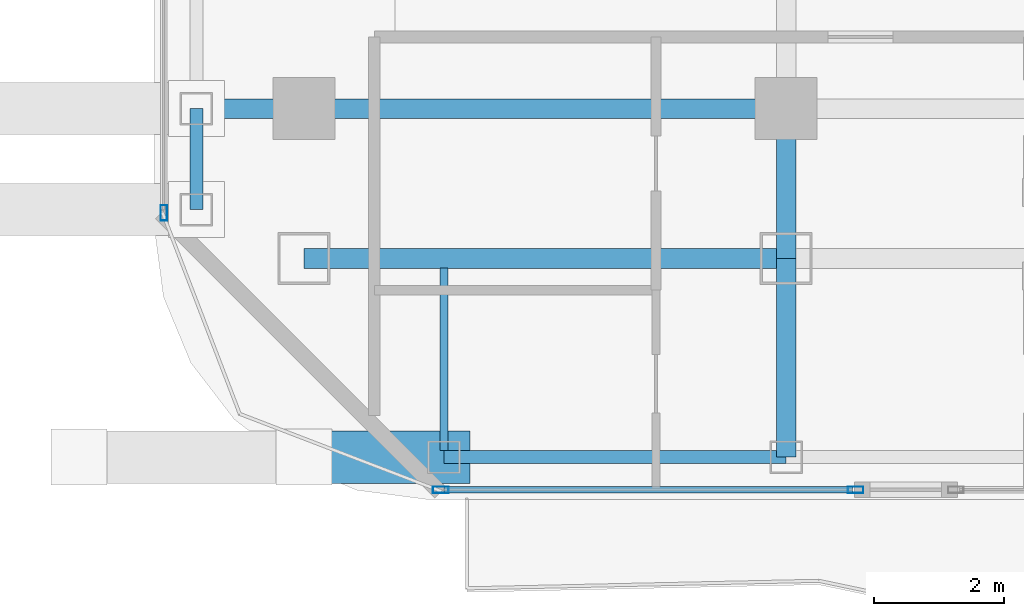
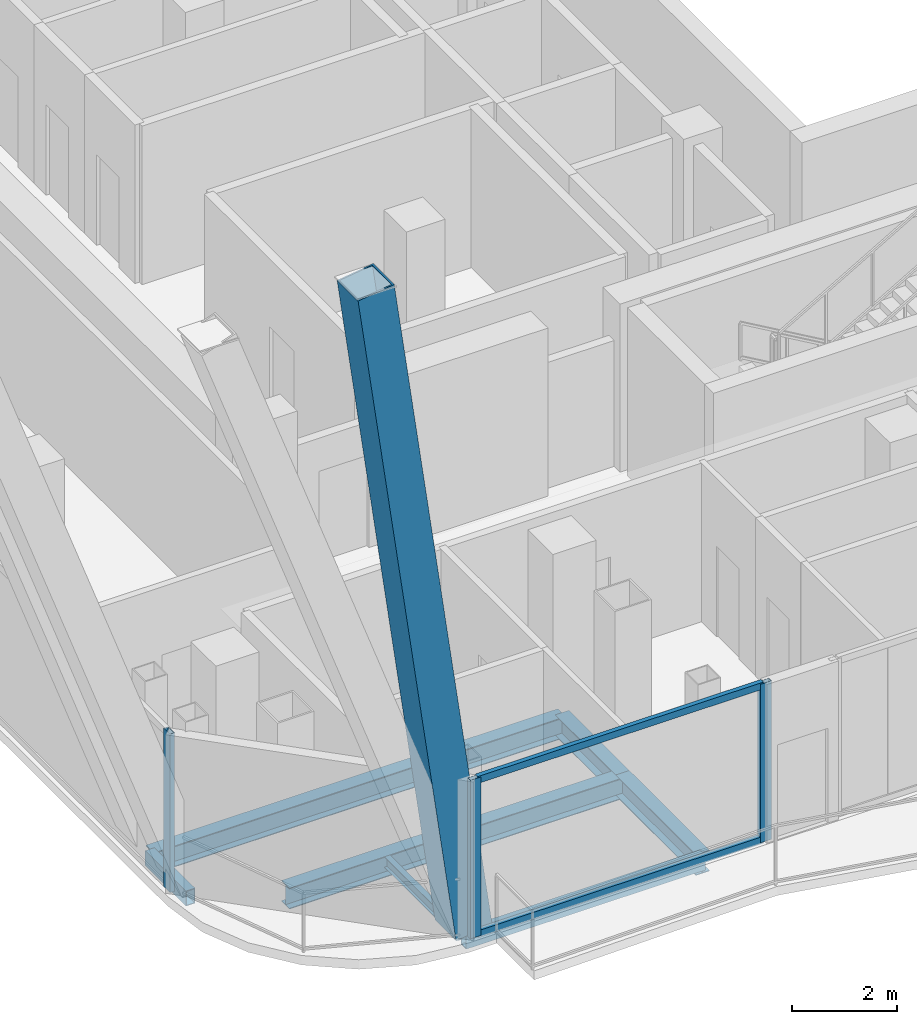
# One storey, part 2 of 27: 7 beams, 6 members, 2 elements without a shape of their own.
"""IFC4 building model written with IfcOpenShell, lengths in metres."""

from ifc_helpers import new_model, si_unit, direction, frame, origin, origin_2d, place, context, subcontext, project, spatial, hollow_rectangle, i_section, extrude, material, layer, layer_set, material_profile, profile_set, type_object, element, aggregate, save


model = new_model("IFC4")

# Units and contexts
model_context = context("Model", 3, precision=1e-05, world=origin(), true_north=direction((0.0, 1.0)))
body_context = subcontext(model_context, "Body", "Model", "MODEL_VIEW")
ifc_project = project(units=[si_unit("LENGTHUNIT", "METRE"), si_unit("AREAUNIT", "SQUARE_METRE"), si_unit("VOLUMEUNIT", "CUBIC_METRE"), si_unit("PLANEANGLEUNIT", "RADIAN"), si_unit("MASSUNIT", "GRAM", prefix="KILO")], contexts=[model_context])

# Site, building, storey
site_placement = place(None, origin())
site = spatial("IfcSite", under=ifc_project, at=site_placement, CompositionType="ELEMENT")
building_placement = place(site_placement, origin())
building = spatial("IfcBuilding", under=site, at=building_placement, Name="Khorvyn Point Tower", CompositionType="ELEMENT")
storey_placement = place(building_placement, frame((0.0, 0.0, 270.300048828125)))
storey = spatial("IfcBuildingStorey", under=building, at=storey_placement, Name="L66", CompositionType="ELEMENT", Elevation=270.300048828125)

# Curtain wall, members
ifc_material_1 = material(Name="Anodised aluminium 6063-T6 and laminated Low-E glass", Category="aluminium")
ifc_layer = layer(ifc_material_1, 0.18994140625)
ifc_layer_set = layer_set([ifc_layer], Name="Stick-Built High-Wind Curtain Wall CW-SYS-04")
curtain_wall_type = type_object("IfcCurtainWallType", Name="Stick-Built High-Wind Curtain Wall CW-SYS-04", PredefinedType="NOTDEFINED", material=ifc_layer_set)
curtain_wall_1_placement = place(storey_placement, origin())
curtain_wall_1 = element("IfcCurtainWall", 1, at=curtain_wall_1_placement, inside=storey, type_object=curtain_wall_type, Name="Curtain Wall", PredefinedType="NOTDEFINED")
ifc_material_2 = material(Name="Anodised aluminium 6063-T6", Category="aluminium")
ifc_material_profile_1 = material_profile(ifc_material_2, hollow_rectangle(XDim=0.10009765625, YDim=0.239990234375, WallThickness=0.0048828125, at=origin_2d()))
ifc_profile_set_1 = profile_set([ifc_material_profile_1], Name="Anodised aluminium 6063-T6 ALU-MUL-100x240")
member_type_1 = type_object("IfcMemberType", Name="Anodised Aluminium 6063-T6 Mullion ALU-MUL-100x240", PredefinedType="MULLION", material=ifc_profile_set_1)
member_1_placement = place(storey_placement, frame((-6.3330078125, -20.64990234375, 0.0), z_axis=(0.0, 0.0, 1.0), x_axis=(0.0, -1.0, 0.0)))
member_1 = element("IfcMember", 2, at=member_1_placement, type_object=member_type_1, Name="Transom", PredefinedType="MULLION", context=body_context, shape_type="SweptSolid", body=[
    extrude(hollow_rectangle(XDim=0.10009765625, YDim=0.239990234375, WallThickness=0.0048828125, at=origin_2d()), origin(), (0.0, 0.0, 1.0), 3.679931640625),
])
member_2_placement = place(storey_placement, frame((-12.699951171875, -20.64990234375, 0.0), z_axis=(0.0, 0.0, 1.0), x_axis=(0.0, -1.0, 0.0)))
member_2 = element("IfcMember", 3, at=member_2_placement, type_object=member_type_1, Name="Transom", PredefinedType="MULLION", context=body_context, shape_type="SweptSolid", body=[
    extrude(hollow_rectangle(XDim=0.10009765625, YDim=0.239990234375, WallThickness=0.0048828125, at=origin_2d()), origin(), (0.0, 0.0, 1.0), 3.679931640625),
])

# Curtain wall, member
curtain_wall_2_placement = place(storey_placement, origin())
curtain_wall_2 = element("IfcCurtainWall", 4, at=curtain_wall_2_placement, inside=storey, type_object=curtain_wall_type, Name="Curtain Wall", PredefinedType="NOTDEFINED")
member_3_placement = place(storey_placement, frame((-16.949951171875, -16.39990234375, 0.0), z_axis=(0.0, 0.0, 1.0), x_axis=(-1.0, 0.0, 0.0)))
member_3 = element("IfcMember", 5, at=member_3_placement, type_object=member_type_1, Name="Transom", PredefinedType="MULLION", context=body_context, shape_type="SweptSolid", body=[
    extrude(hollow_rectangle(XDim=0.10009765625, YDim=0.239990234375, WallThickness=0.0048828125, at=origin_2d()), origin(), (0.0, 0.0, 1.0), 3.679931640625),
])
aggregate(curtain_wall_2, [member_3])

# Member
ifc_material_profile_2 = material_profile(ifc_material_2, hollow_rectangle(XDim=0.10009765625, YDim=0.159912109375, WallThickness=0.00439453125, at=origin_2d()))
ifc_profile_set_2 = profile_set([ifc_material_profile_2], Name="Anodised aluminium 6063-T6 ALU-TRN-100x160")
member_type_2 = type_object("IfcMemberType", Name="Anodised Aluminium 6063-T6 Transom ALU-TRN-100x160", PredefinedType="USERDEFINED", material=ifc_profile_set_2)
member_4_placement = place(storey_placement, frame((-6.383056640625, -20.64990234375, 0.050048828125), z_axis=(-1.0, 0.0, 0.0), x_axis=(0.0, -1.0, 0.0)))
member_4 = element("IfcMember", 6, at=member_4_placement, type_object=member_type_2, Name="Transom", ObjectType="TRANSOM", PredefinedType="USERDEFINED", context=body_context, shape_type="SweptSolid", body=[
    extrude(hollow_rectangle(XDim=0.10009765625, YDim=0.159912109375, WallThickness=0.00439453125, at=origin_2d()), origin(), (0.0, 0.0, 1.0), 6.266845703125),
])

member_5_placement = place(storey_placement, frame((-6.383056640625, -20.64990234375, 3.6298828125), z_axis=(-1.0, 0.0, 0.0), x_axis=(0.0, -1.0, 0.0)))
member_5 = element("IfcMember", 7, at=member_5_placement, type_object=member_type_2, Name="Transom", ObjectType="TRANSOM", PredefinedType="USERDEFINED", context=body_context, shape_type="SweptSolid", body=[
    extrude(hollow_rectangle(XDim=0.10009765625, YDim=0.159912109375, WallThickness=0.00439453125, at=origin_2d()), origin(), (0.0, 0.0, 1.0), 6.266845703125),
])

aggregate(curtain_wall_1, [member_1, member_2, member_4, member_5])

# Beams
ifc_material_3 = material(Name="Steel S355", Category="steel")
ifc_material_profile_3 = material_profile(ifc_material_3, i_section(OverallWidth=0.125, OverallDepth=0.25, WebThickness=0.006103515625, FlangeThickness=0.009033203125, at=origin_2d()))
ifc_profile_set_3 = profile_set([ifc_material_profile_3], Name="Steel S355 H250x125x6x9")
beam_type_1 = type_object("IfcBeamType", Name="Steel S355 Joist H250x125x6x9", PredefinedType="JOIST", material=ifc_profile_set_3)
beam_1_placement = place(storey_placement, frame((-12.64990234375, -20.050048828125, -0.344970703125), z_axis=(0.0, 1.0, 0.0), x_axis=(-1.0, 0.0, 0.0)))
element("IfcBeam", 8, at=beam_1_placement, inside=storey, type_object=beam_type_1, Name="Beam", PredefinedType="JOIST", context=body_context, shape_type="SweptSolid", body=[
    extrude(i_section(OverallWidth=0.125, OverallDepth=0.25, WebThickness=0.006103515625, FlangeThickness=0.009033203125, at=origin_2d()), origin(), (0.0, 0.0, 1.0), 2.800048828125),
])
ifc_material_profile_4 = material_profile(ifc_material_3, i_section(OverallWidth=0.300048828125, OverallDepth=0.488037109375, WebThickness=0.010986328125, FlangeThickness=0.01806640625, at=origin_2d()))
ifc_profile_set_4 = profile_set([ifc_material_profile_4], Name="Steel S355 H488x300x11x18")
beam_type_2 = type_object("IfcBeamType", Name="Steel S355 Spandrel H488x300x11x18", PredefinedType="SPANDREL", material=ifc_profile_set_4)
beam_2_placement = place(storey_placement, frame((-16.449951171875, -14.800048828125, -0.464111328125), z_axis=(1.0, 0.0, 0.0), x_axis=(0.0, 1.0, 0.0)))
element("IfcBeam", 9, at=beam_2_placement, inside=storey, type_object=beam_type_2, Name="Beam", PredefinedType="SPANDREL", context=body_context, shape_type="SweptSolid", body=[
    extrude(i_section(OverallWidth=0.300048828125, OverallDepth=0.488037109375, WebThickness=0.010986328125, FlangeThickness=0.01806640625, at=origin_2d()), origin(), (0.0, 0.0, 1.0), 9.050048828125),
])
beam_3_placement = place(storey_placement, frame((-14.800048828125, -17.10009765625, -0.464111328125), z_axis=(1.0, 0.0, 0.0), x_axis=(0.0, 1.0, 0.0)))
element("IfcBeam", 10, at=beam_3_placement, inside=storey, type_object=beam_type_2, Name="Beam", PredefinedType="SPANDREL", context=body_context, shape_type="SweptSolid", body=[
    extrude(i_section(OverallWidth=0.300048828125, OverallDepth=0.488037109375, WebThickness=0.010986328125, FlangeThickness=0.01806640625, at=origin_2d()), origin(), (0.0, 0.0, 1.0), 7.400146484375),
])
beam_4_placement = place(storey_placement, frame((-7.39990234375, -20.14990234375, -0.464111328125), z_axis=(0.0, 1.0, 0.0), x_axis=(-1.0, 0.0, 0.0)))
element("IfcBeam", 11, at=beam_4_placement, inside=storey, type_object=beam_type_2, Name="Beam", PredefinedType="SPANDREL", context=body_context, shape_type="SweptSolid", body=[
    extrude(i_section(OverallWidth=0.300048828125, OverallDepth=0.488037109375, WebThickness=0.010986328125, FlangeThickness=0.01806640625, at=origin_2d()), origin(), (0.0, 0.0, 1.0), 3.0498046875),
])
beam_5_placement = place(storey_placement, frame((-7.39990234375, -17.10009765625, -0.464111328125), z_axis=(0.0, 1.0, 0.0), x_axis=(-1.0, 0.0, 0.0)))
element("IfcBeam", 12, at=beam_5_placement, inside=storey, type_object=beam_type_2, Name="Beam", PredefinedType="SPANDREL", context=body_context, shape_type="SweptSolid", body=[
    extrude(i_section(OverallWidth=0.300048828125, OverallDepth=0.488037109375, WebThickness=0.010986328125, FlangeThickness=0.01806640625, at=origin_2d()), origin(), (0.0, 0.0, 1.0), 2.300048828125),
])
ifc_material_profile_5 = material_profile(ifc_material_3, hollow_rectangle(XDim=0.199951171875, YDim=0.35009765625, WallThickness=0.013916015625, at=origin_2d()))
ifc_profile_set_5 = profile_set([ifc_material_profile_5], Name="Steel S355 RHS350x200x14")
beam_type_3 = type_object("IfcBeamType", Name="Steel S355 Spandrel RHS350x200x14", PredefinedType="SPANDREL", material=ifc_profile_set_5)
beam_6_placement = place(storey_placement, frame((-12.64990234375, -20.14990234375, -0.39501953125), z_axis=(1.0, 0.0, 0.0), x_axis=(0.0, 1.0, 0.0)))
element("IfcBeam", 13, at=beam_6_placement, inside=storey, type_object=beam_type_3, Name="Beam", PredefinedType="SPANDREL", context=body_context, shape_type="SweptSolid", body=[
    extrude(hollow_rectangle(XDim=0.199951171875, YDim=0.35009765625, WallThickness=0.013916015625, at=origin_2d()), origin(), (0.0, 0.0, 1.0), 5.25),
])
beam_7_placement = place(storey_placement, frame((-16.449951171875, -16.35009765625, -0.39501953125), z_axis=(0.0, 1.0, 0.0), x_axis=(-1.0, 0.0, 0.0)))
element("IfcBeam", 14, at=beam_7_placement, inside=storey, type_object=beam_type_3, Name="Beam", PredefinedType="SPANDREL", context=body_context, shape_type="SweptSolid", body=[
    extrude(hollow_rectangle(XDim=0.199951171875, YDim=0.35009765625, WallThickness=0.013916015625, at=origin_2d()), origin(), (0.0, 0.0, 1.0), 1.550048828125),
])

# Member
ifc_material_4 = material(Name="Steel S450", Category="steel")
ifc_material_profile_6 = material_profile(ifc_material_4, hollow_rectangle(XDim=0.800048828125, YDim=0.800048828125, WallThickness=0.035888671875, at=origin_2d()))
ifc_profile_set_6 = profile_set([ifc_material_profile_6], Name="Steel S450 BOX800x800x36")
member_type_3 = type_object("IfcMemberType", Name="Steel S450 Exoskeleton Structural Post BOX800x800x36", PredefinedType="POST", material=ifc_profile_set_6)
member_6_placement = place(storey_placement, frame((-12.64990234375, -20.14990234375, 0.0), z_axis=(-0.136540340593, 0.0, 0.990634511508), x_axis=(0.0, -1.0, 0.0)))
element("IfcMember", 15, at=member_6_placement, inside=storey, type_object=member_type_3, Name="L66 to L70 Exoskeleton Transfer Post 07", PredefinedType="POST", context=body_context, shape_type="SweptSolid", body=[
    extrude(hollow_rectangle(XDim=0.800048828125, YDim=0.800048828125, WallThickness=0.035888671875, at=origin_2d()), origin(), (0.0, 0.0, 1.0), 15.747314453125),
])

save(model, "model.ifc")
